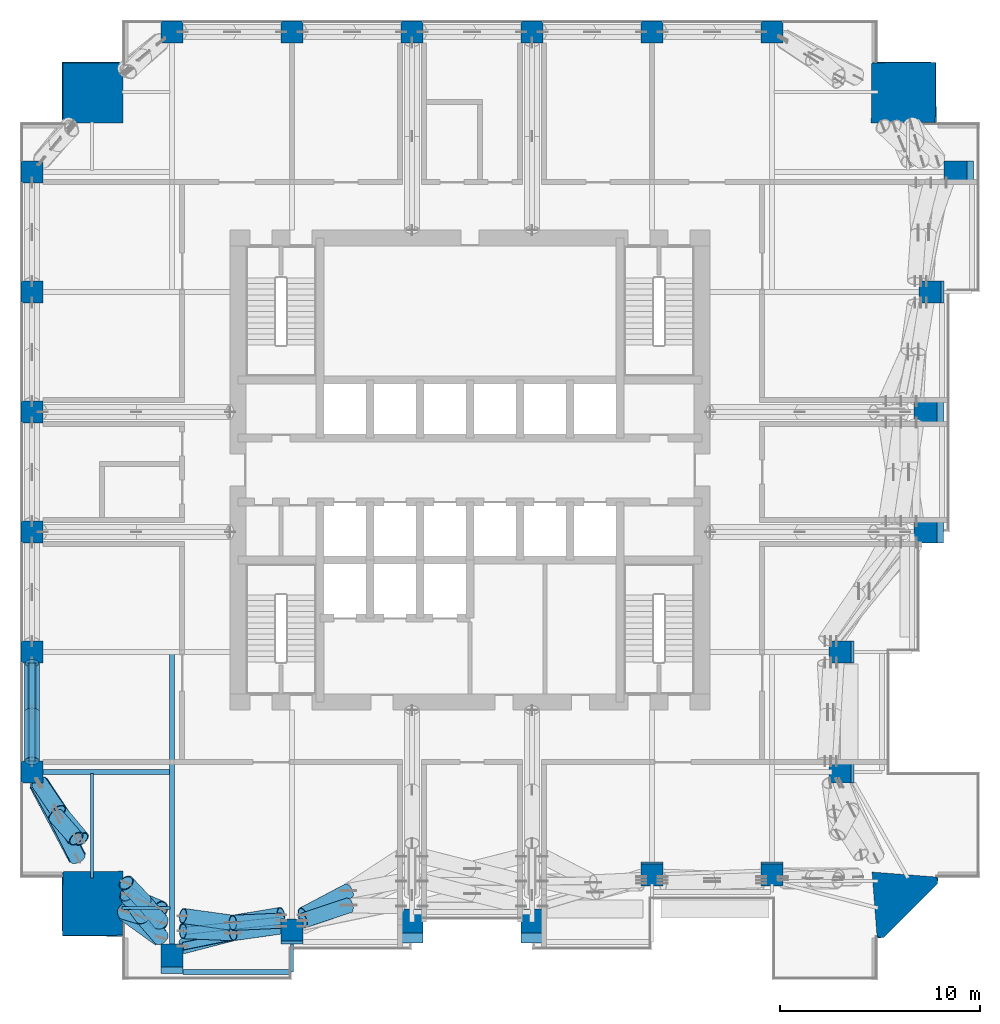
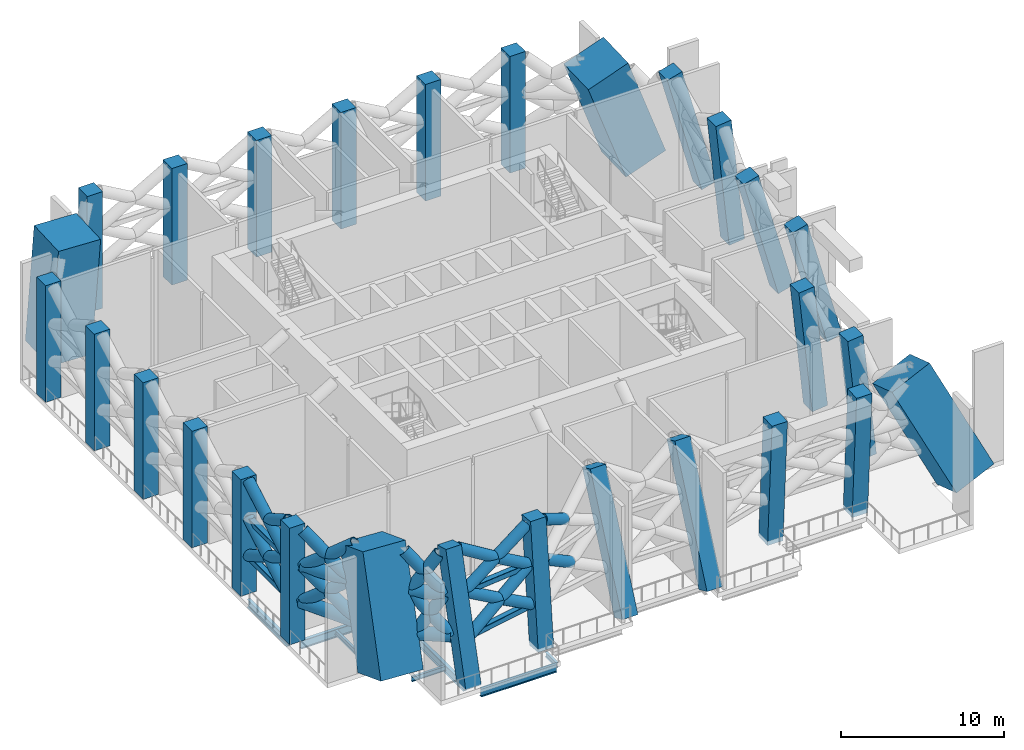
# One storey, part 1 of 19: 28 columns, 25 members, 15 beams.
"""IFC4 building model written with IfcOpenShell, lengths in metres."""

from ifc_helpers import new_model, si_unit, direction, frame, origin, origin_2d, place, context, subcontext, project, spatial, rectangle, hollow_rectangle, hollow_circle, i_section, extrude, material, material_profile, profile_set, type_object, element, save


model = new_model("IFC4")

# Units and contexts
model_context = context("Model", 3, precision=1e-05, world=origin(), true_north=direction((0.0, 1.0)))
body_context = subcontext(model_context, "Body", "Model", "MODEL_VIEW")
ifc_project = project(units=[si_unit("LENGTHUNIT", "METRE"), si_unit("AREAUNIT", "SQUARE_METRE"), si_unit("VOLUMEUNIT", "CUBIC_METRE"), si_unit("PLANEANGLEUNIT", "RADIAN"), si_unit("MASSUNIT", "GRAM", prefix="KILO")], contexts=[model_context])

# Site, building, storey
site_placement = place(None, origin())
site = spatial("IfcSite", under=ifc_project, at=site_placement, CompositionType="ELEMENT")
building_placement = place(site_placement, origin())
building = spatial("IfcBuilding", under=site, at=building_placement, Name="Amberfall Residences", CompositionType="ELEMENT")
storey_placement = place(building_placement, frame((0.0, 0.0, 124.89990234375)))
storey = spatial("IfcBuildingStorey", under=building, at=storey_placement, Name="L34", CompositionType="ELEMENT", Elevation=124.89990234375)

# Columns
ifc_material_1 = material(Name="Concrete C70", Category="concrete")
ifc_material_profile_1 = material_profile(ifc_material_1, rectangle(XDim=1.10009765625, YDim=1.10009765625, at=origin_2d()), Name="Column 1100 x 1100 C70")
ifc_profile_set_1 = profile_set([ifc_material_profile_1], Name="Concrete C70")
column_type_1 = type_object("IfcColumnType", Name="Column 1100 x 1100 C70", PredefinedType="COLUMN", material=ifc_profile_set_1)
column_1_placement = place(storey_placement, frame((59.60009765625, 20.85009765625, -0.206298828125), z_axis=(0.0, 0.260958148913, 0.965350114992), x_axis=(-1.0, 0.0, 0.0)))
element("IfcColumn", 1, at=column_1_placement, inside=storey, type_object=column_type_1, Name="Column C2 L34 S1", PredefinedType="COLUMN", context=body_context, shape_type="SweptSolid", body=[
    extrude(rectangle(XDim=1.10009765625, YDim=1.10009765625, at=origin_2d()), origin(), (0.0, 0.0, 1.0), 9.38818359375),
])
column_2_placement = place(storey_placement, frame((65.60009765625, 22.35009765625, -0.293701171875), z_axis=(0.0, 0.10229636816, 0.994753966095), x_axis=(-1.0, 0.0, 0.0)))
element("IfcColumn", 2, at=column_2_placement, inside=storey, type_object=column_type_1, Name="Column C2 L34 S2", PredefinedType="COLUMN", context=body_context, shape_type="SweptSolid", body=[
    extrude(rectangle(XDim=1.10009765625, YDim=1.10009765625, at=origin_2d()), origin(), (0.0, 0.0, 1.0), 9.286376953125),
])
for number, where, z_axis, x_axis, name in (
    (3, (71.60009765625, 22.35009765625, -0.126953125), (0.0, 0.405503510378, 0.914093487052), (-1.0, 0.0, 0.0), "Column C2 L34 S3"),
    (4, (77.60009765625, 22.35009765625, -0.126953125), (0.0, 0.405503510378, 0.914093487052), (-1.0, 0.0, 0.0), "Column C2 L34 S4"),
):
    element("IfcColumn", number, at=place(storey_placement, frame(where, z_axis=z_axis, x_axis=x_axis)), inside=storey, type_object=column_type_1, Name=name, PredefinedType="COLUMN", context=body_context, shape_type="SweptSolid", body=[
        extrude(rectangle(XDim=1.10009765625, YDim=1.10009765625, at=origin_2d()), origin(), (0.0, 0.0, 1.0), 9.740966796875),
    ])
for number, where, z_axis, x_axis, name in (
    (5, (83.60009765625, 25.35009765625, -0.3173828125), (0.0, -0.05913746441, 0.998249848637), (1.0, 0.0, 0.0), "Column C2 L34 S5"),
    (6, (89.60009765625, 25.35009765625, -0.3173828125), (0.0, -0.05913746441, 0.998249848637), (1.0, 0.0, 0.0), "Column C2 L34 S6"),
):
    element("IfcColumn", number, at=place(storey_placement, frame(where, z_axis=z_axis, x_axis=x_axis)), inside=storey, type_object=column_type_1, Name=name, PredefinedType="COLUMN", context=body_context, shape_type="SweptSolid", body=[
        extrude(rectangle(XDim=1.10009765625, YDim=1.10009765625, at=origin_2d()), origin(), (0.0, 0.0, 1.0), 9.30126953125),
    ])
for number, where, z_axis, x_axis, name in (
    (7, (93.14990234375, 30.39990234375, -0.293701171875), (-0.10229636816, 0.0, 0.994753966095), (0.0, -1.0, 0.0), "Column C2 L34 E1"),
    (8, (93.14990234375, 36.39990234375, -0.293701171875), (-0.10229636816, 0.0, 0.994753966095), (0.0, -1.0, 0.0), "Column C2 L34 E2"),
):
    element("IfcColumn", number, at=place(storey_placement, frame(where, z_axis=z_axis, x_axis=x_axis)), inside=storey, type_object=column_type_1, Name=name, PredefinedType="COLUMN", context=body_context, shape_type="SweptSolid", body=[
        extrude(rectangle(XDim=1.10009765625, YDim=1.10009765625, at=origin_2d()), origin(), (0.0, 0.0, 1.0), 9.286376953125),
    ])
for number, where, z_axis, x_axis, name in (
    (9, (97.64990234375, 42.39990234375, -0.206298828125), (-0.260958148913, 0.0, 0.965350114992), (0.0, -1.0, 0.0), "Column C2 L34 E3"),
    (10, (97.64990234375, 48.39990234375, -0.206298828125), (-0.260958148913, 0.0, 0.965350114992), (0.0, -1.0, 0.0), "Column C2 L34 E4"),
):
    element("IfcColumn", number, at=place(storey_placement, frame(where, z_axis=z_axis, x_axis=x_axis)), inside=storey, type_object=column_type_1, Name=name, PredefinedType="COLUMN", context=body_context, shape_type="SweptSolid", body=[
        extrude(rectangle(XDim=1.10009765625, YDim=1.10009765625, at=origin_2d()), origin(), (0.0, 0.0, 1.0), 9.38818359375),
    ])
column_3_placement = place(storey_placement, frame((97.64990234375, 54.39990234375, -0.293701171875), z_axis=(-0.10229636816, 0.0, 0.994753966095), x_axis=(0.0, -1.0, 0.0)))
element("IfcColumn", 11, at=column_3_placement, inside=storey, type_object=column_type_1, Name="Column C2 L34 E5", PredefinedType="COLUMN", context=body_context, shape_type="SweptSolid", body=[
    extrude(rectangle(XDim=1.10009765625, YDim=1.10009765625, at=origin_2d()), origin(), (0.0, 0.0, 1.0), 9.286376953125),
])
column_4_placement = place(storey_placement, frame((99.14990234375, 60.39990234375, -0.206298828125), z_axis=(-0.260958148913, 0.0, 0.965350114992), x_axis=(0.0, -1.0, 0.0)))
element("IfcColumn", 12, at=column_4_placement, inside=storey, type_object=column_type_1, Name="Column C2 L34 E6", PredefinedType="COLUMN", context=body_context, shape_type="SweptSolid", body=[
    extrude(rectangle(XDim=1.10009765625, YDim=1.10009765625, at=origin_2d()), origin(), (0.0, 0.0, 1.0), 9.38818359375),
])
for number, where, z_axis, x_axis, name in (
    (13, (59.60009765625, 67.39990234375, 0.0), (0.0, 0.0, 1.0), (1.0, 0.0, 0.0), "Column C2 L34 N1"),
    (14, (65.60009765625, 67.39990234375, 0.0), (0.0, 0.0, 1.0), (1.0, 0.0, 0.0), "Column C2 L34 N2"),
    (15, (71.60009765625, 67.39990234375, 0.0), (0.0, 0.0, 1.0), (1.0, 0.0, 0.0), "Column C2 L34 N3"),
    (16, (77.60009765625, 67.39990234375, 0.0), (0.0, 0.0, 1.0), (1.0, 0.0, 0.0), "Column C2 L34 N4"),
    (17, (83.60009765625, 67.39990234375, 0.0), (0.0, 0.0, 1.0), (1.0, 0.0, 0.0), "Column C2 L34 N5"),
    (18, (89.60009765625, 67.39990234375, 0.0), (0.0, 0.0, 1.0), (1.0, 0.0, 0.0), "Column C2 L34 N6"),
    (19, (52.60009765625, 30.39990234375, 0.0), (0.0, 0.0, 1.0), (1.0, 0.0, 0.0), "Column C2 L34 W1"),
    (20, (52.60009765625, 36.39990234375, 0.0), (0.0, 0.0, 1.0), (1.0, 0.0, 0.0), "Column C2 L34 W2"),
    (21, (52.60009765625, 42.39990234375, 0.0), (0.0, 0.0, 1.0), (1.0, 0.0, 0.0), "Column C2 L34 W3"),
    (22, (52.60009765625, 48.39990234375, 0.0), (0.0, 0.0, 1.0), (1.0, 0.0, 0.0), "Column C2 L34 W4"),
    (23, (52.60009765625, 54.39990234375, 0.0), (0.0, 0.0, 1.0), (1.0, 0.0, 0.0), "Column C2 L34 W5"),
    (24, (52.60009765625, 60.39990234375, 0.0), (0.0, 0.0, 1.0), (1.0, 0.0, 0.0), "Column C2 L34 W6"),
):
    element("IfcColumn", number, at=place(storey_placement, frame(where, z_axis=z_axis, x_axis=x_axis)), inside=storey, type_object=column_type_1, Name=name, PredefinedType="COLUMN", context=body_context, shape_type="SweptSolid", body=[
        extrude(rectangle(XDim=1.10009765625, YDim=1.10009765625, at=origin_2d()), origin(), (0.0, 0.0, 1.0), 8.75),
    ])
ifc_material_profile_2 = material_profile(ifc_material_1, rectangle(XDim=3.0, YDim=3.0, at=origin_2d()), Name="Mega column 3000 x 3000 C70")
ifc_profile_set_2 = profile_set([ifc_material_profile_2], Name="Concrete C70")
column_type_2 = type_object("IfcColumnType", Name="Mega column 3000 x 3000 C70", PredefinedType="COLUMN", material=ifc_profile_set_2)
column_5_placement = place(storey_placement, frame((55.60009765625, 23.60009765625, 0.59326171875), z_axis=(0.047926504293, 0.347540304026, 0.936439419965), x_axis=(-0.998813582755, 0.008574843959, 0.047936405312)))
element("IfcColumn", 25, at=column_5_placement, inside=storey, type_object=column_type_2, Name="Mega column MC2 L34 SW", PredefinedType="COLUMN", context=body_context, shape_type="SweptSolid", body=[
    extrude(rectangle(XDim=3.0, YDim=3.0, at=origin_2d()), origin(), (0.0, 0.0, 1.0), 8.343994140625),
])
column_6_placement = place(storey_placement, frame((96.39990234375, 23.60009765625, 1.09423828125), z_axis=(-0.36471985652, 0.36471985652, 0.856713985248), x_axis=(-0.071643007376, -0.928356992624, 0.36471985652)))
element("IfcColumn", 26, at=column_6_placement, inside=storey, type_object=column_type_2, Name="Mega column MC2 L34 SE", PredefinedType="COLUMN", context=body_context, shape_type="SweptSolid", body=[
    extrude(rectangle(XDim=3.0, YDim=3.0, at=origin_2d()), origin(), (0.0, 0.0, 1.0), 7.950927734375),
])
column_7_placement = place(storey_placement, frame((96.39990234375, 64.39990234375, 0.59326171875), z_axis=(-0.347540304026, -0.047926504293, 0.936439419965), x_axis=(0.937625836423, -0.008630010973, 0.347538938512)))
element("IfcColumn", 27, at=column_7_placement, inside=storey, type_object=column_type_2, Name="Mega column MC2 L34 NE", PredefinedType="COLUMN", context=body_context, shape_type="SweptSolid", body=[
    extrude(rectangle(XDim=3.0, YDim=3.0, at=origin_2d()), origin(), (0.0, 0.0, 1.0), 8.343994140625),
])
column_8_placement = place(storey_placement, frame((55.60009765625, 64.39990234375, 0.13720703125), z_axis=(0.045735036797, -0.045735036797, 0.99790611423), x_axis=(0.001046942885, 0.998953057115, 0.045735036797)))
element("IfcColumn", 28, at=column_8_placement, inside=storey, type_object=column_type_2, Name="Mega column MC2 L34 NW", PredefinedType="COLUMN", context=body_context, shape_type="SweptSolid", body=[
    extrude(rectangle(XDim=3.0, YDim=3.0, at=origin_2d()), origin(), (0.0, 0.0, 1.0), 8.743896484375),
])

# Beams
ifc_material_2 = material(Name="Steel S355", Category="steel")
ifc_material_profile_3 = material_profile(ifc_material_2, hollow_circle(Radius=0.457275390625, WallThickness=0.06005859375, at=origin_2d()), Name="CHS 914.4x60")
ifc_profile_set_3 = profile_set([ifc_material_profile_3], Name="Steel S355")
beam_type_1 = type_object("IfcBeamType", Name="Belt truss chord BT CHS 914.4x60", PredefinedType="BEAM", material=ifc_profile_set_3)
beam_1_placement = place(storey_placement, frame((57.2158203125, 23.42431640625, 3.0), z_axis=(0.812987024903, -0.582281802343, 0.0), x_axis=(0.582281802343, 0.812987024903, 0.0)))
element("IfcBeam", 29, at=beam_1_placement, inside=storey, type_object=beam_type_1, Name="Belt truss chord BT2 L34 SWS", PredefinedType="BEAM", context=body_context, shape_type="SweptSolid", body=[
    extrude(hollow_circle(Radius=0.457275390625, WallThickness=0.06005859375, at=origin_2d()), origin(), (0.0, 0.0, 1.0), 2.256103515625),
])
beam_2_placement = place(storey_placement, frame((57.35009765625, 24.262451171875, 5.646484375), z_axis=(0.775756048668, -0.631032925413, 0.0), x_axis=(0.631032925413, 0.775756048668, 0.0)))
element("IfcBeam", 30, at=beam_2_placement, inside=storey, type_object=beam_type_1, Name="Belt truss chord BT2 L34 SWSm", PredefinedType="BEAM", context=body_context, shape_type="SweptSolid", body=[
    extrude(hollow_circle(Radius=0.457275390625, WallThickness=0.06005859375, at=origin_2d()), origin(), (0.0, 0.0, 1.0), 2.19140625),
])
beam_3_placement = place(storey_placement, frame((54.88134765625, 26.085205078125, 3.0), z_axis=(-0.467392459894, 0.884049935487, 0.0), x_axis=(-0.884049935487, -0.467392459894, 0.0)))
element("IfcBeam", 31, at=beam_3_placement, inside=storey, type_object=beam_type_1, Name="Belt truss chord BT2 L34 SWW", PredefinedType="BEAM", context=body_context, shape_type="SweptSolid", body=[
    extrude(hollow_circle(Radius=0.457275390625, WallThickness=0.06005859375, at=origin_2d()), origin(), (0.0, 0.0, 1.0), 4.2587890625),
])
beam_4_placement = place(storey_placement, frame((54.806396484375, 27.065673828125, 5.646484375), z_axis=(-0.551794357555, 0.833980207781, 0.0), x_axis=(-0.833980207781, -0.551794357555, 0.0)))
element("IfcBeam", 32, at=beam_4_placement, inside=storey, type_object=beam_type_1, Name="Belt truss chord BT2 L34 SWWm", PredefinedType="BEAM", context=body_context, shape_type="SweptSolid", body=[
    extrude(hollow_circle(Radius=0.457275390625, WallThickness=0.06005859375, at=origin_2d()), origin(), (0.0, 0.0, 1.0), 3.338623046875),
])
ifc_material_profile_4 = material_profile(ifc_material_2, hollow_rectangle(XDim=0.39990234375, YDim=0.39990234375, WallThickness=0.02001953125, InnerFilletRadius=0.02001953125, OuterFilletRadius=0.030029296875, at=origin_2d()), Name="RHS 400x400x20")
ifc_profile_set_4 = profile_set([ifc_material_profile_4], Name="Steel S355")
beam_type_2 = type_object("IfcBeamType", Name="Belt truss chord BT RHS 400x400x20", PredefinedType="BEAM", material=ifc_profile_set_4)
beam_5_placement = place(storey_placement, frame((60.14990234375, 21.689697265625, 2.900146484375), z_axis=(0.980242998356, 0.197797027719, 0.0), x_axis=(-0.197797027719, 0.980242998356, 0.0)))
element("IfcBeam", 33, at=beam_5_placement, inside=storey, type_object=beam_type_2, Name="Belt truss chord BT3 L34 S1", PredefinedType="BEAM", context=body_context, shape_type="SweptSolid", body=[
    extrude(hollow_rectangle(XDim=0.39990234375, YDim=0.39990234375, WallThickness=0.02001953125, InnerFilletRadius=0.02001953125, OuterFilletRadius=0.030029296875, at=origin_2d()), origin(), (0.0, 0.0, 1.0), 4.9990234375),
])
beam_6_placement = place(storey_placement, frame((60.14990234375, 22.44677734375, 5.7001953125), z_axis=(0.994426441941, 0.105432687382, 0.0), x_axis=(-0.105432687382, 0.994426441941, 0.0)))
element("IfcBeam", 34, at=beam_6_placement, inside=storey, type_object=beam_type_2, Name="Belt truss chord BT3 L34 S1m", PredefinedType="BEAM", context=body_context, shape_type="SweptSolid", body=[
    extrude(hollow_rectangle(XDim=0.39990234375, YDim=0.39990234375, WallThickness=0.02001953125, InnerFilletRadius=0.02001953125, OuterFilletRadius=0.030029296875, at=origin_2d()), origin(), (0.0, 0.0, 1.0), 4.927490234375),
])
for number, where, z_axis, x_axis, name in (
    (35, (52.60009765625, 30.949951171875, 2.900146484375), (0.0, 1.0, 0.0), (-1.0, 0.0, 0.0), "Belt truss chord BT3 L34 W1"),
    (36, (52.60009765625, 30.949951171875, 5.7001953125), (0.0, 1.0, 0.0), (-1.0, 0.0, 0.0), "Belt truss chord BT3 L34 W1m"),
):
    element("IfcBeam", number, at=place(storey_placement, frame(where, z_axis=z_axis, x_axis=x_axis)), inside=storey, type_object=beam_type_2, Name=name, PredefinedType="BEAM", context=body_context, shape_type="SweptSolid", body=[
        extrude(hollow_rectangle(XDim=0.39990234375, YDim=0.39990234375, WallThickness=0.02001953125, InnerFilletRadius=0.02001953125, OuterFilletRadius=0.030029296875, at=origin_2d()), origin(), (0.0, 0.0, 1.0), 4.900146484375),
    ])

# Members
ifc_material_profile_5 = material_profile(ifc_material_2, hollow_circle(Radius=0.381103515625, WallThickness=0.0400390625, at=origin_2d()), Name="CHS 762x40")
ifc_profile_set_5 = profile_set([ifc_material_profile_5], Name="Steel S355")
member_type_1 = type_object("IfcMemberType", Name="Belt truss diagonal BT CHS 762x40", PredefinedType="BRACE", material=ifc_profile_set_5)
member_1_placement = place(storey_placement, frame((60.14990234375, 21.689697265625, 2.900146484375), z_axis=(0.846850919134, 0.220625950683, 0.483908783396), x_axis=(-0.252109817176, 0.967698630816, 0.0)))
element("IfcMember", 37, at=member_1_placement, inside=storey, type_object=member_type_1, Name="Belt truss diagonal BT4 L34 S1d", PredefinedType="BRACE", context=body_context, shape_type="SweptSolid", body=[
    extrude(hollow_circle(Radius=0.381103515625, WallThickness=0.0400390625, at=origin_2d()), origin(), (0.0, 0.0, 1.0), 5.786376953125),
])
member_2_placement = place(storey_placement, frame((60.14990234375, 22.44677734375, 5.7001953125), z_axis=(0.876696396634, -0.03667863801, -0.479643727825), x_axis=(0.041800764526, 0.999125966075, 0.0)))
element("IfcMember", 38, at=member_2_placement, inside=storey, type_object=member_type_1, Name="Belt truss diagonal BT4 L34 S1e", PredefinedType="BRACE", context=body_context, shape_type="SweptSolid", body=[
    extrude(hollow_circle(Radius=0.381103515625, WallThickness=0.0400390625, at=origin_2d()), origin(), (0.0, 0.0, 1.0), 2.85546875),
])
member_3_placement = place(storey_placement, frame((62.6533203125, 22.342041015625, 4.33056640625), z_axis=(0.852523998121, 0.119667726333, -0.508804940918), x_axis=(-0.139005983874, 0.990291541137, 0.0)))
element("IfcMember", 39, at=member_3_placement, inside=storey, type_object=member_type_1, Name="Belt truss diagonal BT4 L34 S1e2", PredefinedType="BRACE", context=body_context, shape_type="SweptSolid", body=[
    extrude(hollow_circle(Radius=0.381103515625, WallThickness=0.0400390625, at=origin_2d()), origin(), (0.0, 0.0, 1.0), 2.811279296875),
])
member_4_placement = place(storey_placement, frame((60.14990234375, 22.44677734375, 5.7001953125), z_axis=(0.85950834123, 0.141659787394, 0.491098682538), x_axis=(-0.162620991574, 0.986688609998, 0.0)))
element("IfcMember", 40, at=member_4_placement, inside=storey, type_object=member_type_1, Name="Belt truss diagonal BT4 L34 S1du", PredefinedType="BRACE", context=body_context, shape_type="SweptSolid", body=[
    extrude(hollow_circle(Radius=0.381103515625, WallThickness=0.0400390625, at=origin_2d()), origin(), (0.0, 0.0, 1.0), 5.701171875),
])
member_5_placement = place(storey_placement, frame((60.14990234375, 23.20361328125, 8.5), z_axis=(0.869306161315, -0.120599846346, -0.479335451393), x_axis=(0.137415087244, 0.990513550537, 0.0)))
element("IfcMember", 41, at=member_5_placement, inside=storey, type_object=member_type_1, Name="Belt truss diagonal BT4 L34 S1eu", PredefinedType="BRACE", context=body_context, shape_type="SweptSolid", body=[
    extrude(hollow_circle(Radius=0.381103515625, WallThickness=0.0400390625, at=origin_2d()), origin(), (0.0, 0.0, 1.0), 2.86865234375),
])
member_6_placement = place(storey_placement, frame((62.6435546875, 22.857666015625, 7.125), z_axis=(0.859841437388, 0.038818041964, -0.509083354834), x_axis=(-0.045099645889, 0.99898249331, 0.0)))
element("IfcMember", 42, at=member_6_placement, inside=storey, type_object=member_type_1, Name="Belt truss diagonal BT4 L34 S1e2u", PredefinedType="BRACE", context=body_context, shape_type="SweptSolid", body=[
    extrude(hollow_circle(Radius=0.381103515625, WallThickness=0.0400390625, at=origin_2d()), origin(), (0.0, 0.0, 1.0), 2.798828125),
])
member_7_placement = place(storey_placement, frame((66.14990234375, 22.96630859375, 5.7001953125), z_axis=(0.806823579201, 0.270145278997, -0.525411496145), x_axis=(-0.31750112451, 0.948257895266, 0.0)))
element("IfcMember", 43, at=member_7_placement, inside=storey, type_object=member_type_1, Name="Belt truss diagonal BT4 L34 S2e", PredefinedType="BRACE", context=body_context, shape_type="SweptSolid", body=[
    extrude(hollow_circle(Radius=0.381103515625, WallThickness=0.0400390625, at=origin_2d()), origin(), (0.0, 0.0, 1.0), 2.838623046875),
])
member_8_placement = place(storey_placement, frame((66.14990234375, 23.25439453125, 8.5), z_axis=(0.763648285161, 0.403633294809, -0.503906201482), x_axis=(-0.467298846368, 0.884099422115, 0.0)))
element("IfcMember", 44, at=member_8_placement, inside=storey, type_object=member_type_1, Name="Belt truss diagonal BT4 L34 S2eu", PredefinedType="BRACE", context=body_context, shape_type="SweptSolid", body=[
    extrude(hollow_circle(Radius=0.381103515625, WallThickness=0.0400390625, at=origin_2d()), origin(), (0.0, 0.0, 1.0), 2.977783203125),
])
member_9_placement = place(storey_placement, frame((52.60009765625, 30.949951171875, 2.900146484375), z_axis=(0.0, 0.868245804187, 0.496134279718), x_axis=(-1.0, 0.0, 0.0)))
element("IfcMember", 45, at=member_9_placement, inside=storey, type_object=member_type_1, Name="Belt truss diagonal BT4 L34 W1d", PredefinedType="BRACE", context=body_context, shape_type="SweptSolid", body=[
    extrude(hollow_circle(Radius=0.381103515625, WallThickness=0.0400390625, at=origin_2d()), origin(), (0.0, 0.0, 1.0), 5.643798828125),
])
member_10_placement = place(storey_placement, frame((52.60009765625, 30.949951171875, 5.7001953125), z_axis=(0.0, 0.868216519694, -0.496185524708), x_axis=(-1.0, 0.0, 0.0)))
element("IfcMember", 46, at=member_10_placement, inside=storey, type_object=member_type_1, Name="Belt truss diagonal BT4 L34 W1e", PredefinedType="BRACE", context=body_context, shape_type="SweptSolid", body=[
    extrude(hollow_circle(Radius=0.381103515625, WallThickness=0.0400390625, at=origin_2d()), origin(), (0.0, 0.0, 1.0), 2.82177734375),
])
member_11_placement = place(storey_placement, frame((52.60009765625, 33.39990234375, 4.300048828125), z_axis=(0.0, 0.868275084713, -0.49608303465), x_axis=(-1.0, 0.0, 0.0)))
element("IfcMember", 47, at=member_11_placement, inside=storey, type_object=member_type_1, Name="Belt truss diagonal BT4 L34 W1e2", PredefinedType="BRACE", context=body_context, shape_type="SweptSolid", body=[
    extrude(hollow_circle(Radius=0.381103515625, WallThickness=0.0400390625, at=origin_2d()), origin(), (0.0, 0.0, 1.0), 2.822021484375),
])
member_12_placement = place(storey_placement, frame((52.60009765625, 30.949951171875, 5.7001953125), z_axis=(0.0, 0.868264438383, 0.496101668047), x_axis=(-1.0, 0.0, 0.0)))
element("IfcMember", 48, at=member_12_placement, inside=storey, type_object=member_type_1, Name="Belt truss diagonal BT4 L34 W1du", PredefinedType="BRACE", context=body_context, shape_type="SweptSolid", body=[
    extrude(hollow_circle(Radius=0.381103515625, WallThickness=0.0400390625, at=origin_2d()), origin(), (0.0, 0.0, 1.0), 5.6435546875),
])
member_13_placement = place(storey_placement, frame((52.60009765625, 30.949951171875, 8.5), z_axis=(0.0, 0.868253790854, -0.496120302616), x_axis=(-1.0, 0.0, 0.0)))
element("IfcMember", 49, at=member_13_placement, inside=storey, type_object=member_type_1, Name="Belt truss diagonal BT4 L34 W1eu", PredefinedType="BRACE", context=body_context, shape_type="SweptSolid", body=[
    extrude(hollow_circle(Radius=0.381103515625, WallThickness=0.0400390625, at=origin_2d()), origin(), (0.0, 0.0, 1.0), 2.82177734375),
])
ifc_material_profile_6 = material_profile(ifc_material_2, hollow_circle(Radius=0.406494140625, WallThickness=0.050048828125, at=origin_2d()), Name="CHS 813x50")
ifc_profile_set_6 = profile_set([ifc_material_profile_6], Name="Steel S355")
member_type_2 = type_object("IfcMemberType", Name="Belt truss diagonal BT CHS 813x50", PredefinedType="BRACE", material=ifc_profile_set_6)
member_14_placement = place(storey_placement, frame((57.2158203125, 23.42431640625, 3.0), z_axis=(0.561660752254, -0.166786255594, 0.810382344528), x_axis=(0.28466607921, 0.958626738281, 0.0)))
element("IfcMember", 50, at=member_14_placement, inside=storey, type_object=member_type_2, Name="Belt truss diagonal BT5 L34 SWSd", PredefinedType="BRACE", context=body_context, shape_type="SweptSolid", body=[
    extrude(hollow_circle(Radius=0.406494140625, WallThickness=0.050048828125, at=origin_2d()), origin(), (0.0, 0.0, 1.0), 3.265625),
])
member_15_placement = place(storey_placement, frame((57.35009765625, 24.262451171875, 5.646484375), z_axis=(0.425209280951, -0.591207674609, -0.685325143911), x_axis=(0.811833917838, 0.58388842243, 0.0)))
element("IfcMember", 51, at=member_15_placement, inside=storey, type_object=member_type_2, Name="Belt truss diagonal BT5 L34 SWSe", PredefinedType="BRACE", context=body_context, shape_type="SweptSolid", body=[
    extrude(hollow_circle(Radius=0.406494140625, WallThickness=0.050048828125, at=origin_2d()), origin(), (0.0, 0.0, 1.0), 1.888427734375),
])
member_16_placement = place(storey_placement, frame((58.153076171875, 23.14599609375, 4.352294921875), z_axis=(0.465979283362, -0.537892798241, -0.702520209729), x_axis=(0.755824313649, 0.654774470254, 0.0)))
element("IfcMember", 52, at=member_16_placement, inside=storey, type_object=member_type_2, Name="Belt truss diagonal BT5 L34 SWSe2", PredefinedType="BRACE", context=body_context, shape_type="SweptSolid", body=[
    extrude(hollow_circle(Radius=0.406494140625, WallThickness=0.050048828125, at=origin_2d()), origin(), (0.0, 0.0, 1.0), 1.9248046875),
])
member_17_placement = place(storey_placement, frame((57.35009765625, 24.262451171875, 5.646484375), z_axis=(0.527048365384, -0.221325494813, 0.820509016338), x_axis=(0.387180706474, 0.922003850607, 0.0)))
element("IfcMember", 53, at=member_17_placement, inside=storey, type_object=member_type_2, Name="Belt truss diagonal BT5 L34 SWSdu", PredefinedType="BRACE", context=body_context, shape_type="SweptSolid", body=[
    extrude(hollow_circle(Radius=0.406494140625, WallThickness=0.050048828125, at=origin_2d()), origin(), (0.0, 0.0, 1.0), 3.225341796875),
])
member_18_placement = place(storey_placement, frame((57.3095703125, 24.85400390625, 8.29296875), z_axis=(0.479972204631, -0.511154609372, -0.712985026561), x_axis=(0.7289927697, 0.684521396105, 0.0)))
element("IfcMember", 54, at=member_18_placement, inside=storey, type_object=member_type_2, Name="Belt truss diagonal BT5 L34 SWSeu", PredefinedType="BRACE", context=body_context, shape_type="SweptSolid", body=[
    extrude(hollow_circle(Radius=0.406494140625, WallThickness=0.050048828125, at=origin_2d()), origin(), (0.0, 0.0, 1.0), 1.85546875),
])
member_19_placement = place(storey_placement, frame((58.2001953125, 23.905517578125, 6.969970703125), z_axis=(0.452568976602, -0.546307049607, -0.704790698695), x_axis=(0.770080724073, 0.637946454188, 0.0)))
element("IfcMember", 55, at=member_19_placement, inside=storey, type_object=member_type_2, Name="Belt truss diagonal BT5 L34 SWSe2u", PredefinedType="BRACE", context=body_context, shape_type="SweptSolid", body=[
    extrude(hollow_circle(Radius=0.406494140625, WallThickness=0.050048828125, at=origin_2d()), origin(), (0.0, 0.0, 1.0), 1.8779296875),
])
member_20_placement = place(storey_placement, frame((54.88134765625, 26.085205078125, 3.0), z_axis=(-0.384571157208, 0.755185510672, 0.530848254697), x_axis=(-0.891109162071, -0.453789005236, 0.0)))
element("IfcMember", 56, at=member_20_placement, inside=storey, type_object=member_type_2, Name="Belt truss diagonal BT5 L34 SWWd", PredefinedType="BRACE", context=body_context, shape_type="SweptSolid", body=[
    extrude(hollow_circle(Radius=0.406494140625, WallThickness=0.050048828125, at=origin_2d()), origin(), (0.0, 0.0, 1.0), 4.9853515625),
])
member_21_placement = place(storey_placement, frame((54.806396484375, 27.065673828125, 5.646484375), z_axis=(-0.526543843433, 0.597491120224, -0.6047775973), x_axis=(-0.750245245325, -0.661159641741, 0.0)))
element("IfcMember", 57, at=member_21_placement, inside=storey, type_object=member_type_2, Name="Belt truss diagonal BT5 L34 SWWe", PredefinedType="BRACE", context=body_context, shape_type="SweptSolid", body=[
    extrude(hollow_circle(Radius=0.406494140625, WallThickness=0.050048828125, at=origin_2d()), origin(), (0.0, 0.0, 1.0), 1.909912109375),
])
member_22_placement = place(storey_placement, frame((53.80078125, 28.206787109375, 4.491455078125), z_axis=(-0.3793656465, 0.68513822554, -0.621825794061), x_axis=(-0.874843048082, -0.484406483465, 0.0)))
element("IfcMember", 58, at=member_22_placement, inside=storey, type_object=member_type_2, Name="Belt truss diagonal BT5 L34 SWWe2", PredefinedType="BRACE", context=body_context, shape_type="SweptSolid", body=[
    extrude(hollow_circle(Radius=0.406494140625, WallThickness=0.050048828125, at=origin_2d()), origin(), (0.0, 0.0, 1.0), 2.3984375),
])
member_23_placement = place(storey_placement, frame((54.806396484375, 27.065673828125, 5.646484375), z_axis=(-0.424357283165, 0.656332358895, 0.623817866762), x_axis=(-0.83976172515, -0.542955104012, 0.0)))
element("IfcMember", 59, at=member_23_placement, inside=storey, type_object=member_type_2, Name="Belt truss diagonal BT5 L34 SWWdu", PredefinedType="BRACE", context=body_context, shape_type="SweptSolid", body=[
    extrude(hollow_circle(Radius=0.406494140625, WallThickness=0.050048828125, at=origin_2d()), origin(), (0.0, 0.0, 1.0), 4.242431640625),
])
member_24_placement = place(storey_placement, frame((55.07421875, 27.05029296875, 8.29296875), z_axis=(-0.512083083997, 0.614434508806, -0.600200924252), x_axis=(-0.768187874722, -0.640224483389, 0.0)))
element("IfcMember", 60, at=member_24_placement, inside=storey, type_object=member_type_2, Name="Belt truss diagonal BT5 L34 SWWeu", PredefinedType="BRACE", context=body_context, shape_type="SweptSolid", body=[
    extrude(hollow_circle(Radius=0.406494140625, WallThickness=0.050048828125, at=origin_2d()), origin(), (0.0, 0.0, 1.0), 2.2470703125),
])
member_25_placement = place(storey_placement, frame((53.923583984375, 28.430908203125, 6.9443359375), z_axis=(-0.446430314724, 0.660330641092, -0.603873677627), x_axis=(-0.828437060865, -0.560082169138, 0.0)))
element("IfcMember", 61, at=member_25_placement, inside=storey, type_object=member_type_2, Name="Belt truss diagonal BT5 L34 SWWe2u", PredefinedType="BRACE", context=body_context, shape_type="SweptSolid", body=[
    extrude(hollow_circle(Radius=0.406494140625, WallThickness=0.050048828125, at=origin_2d()), origin(), (0.0, 0.0, 1.0), 2.149169921875),
])

# Beams
ifc_material_profile_7 = material_profile(ifc_material_2, i_section(OverallWidth=0.171142578125, OverallDepth=0.351318359375, WebThickness=0.007080078125, FlangeThickness=0.009765625, FilletRadius=0.01025390625, at=origin_2d()), Name="UB 356x171x45")
ifc_profile_set_7 = profile_set([ifc_material_profile_7], Name="Steel S355")
beam_type_3 = type_object("IfcBeamType", Name="Cantilever girder UB 356x171x45", PredefinedType="BEAM", material=ifc_profile_set_7)
beam_7_placement = place(storey_placement, frame((65.60009765625, 21.800048828125, -0.525634765625), z_axis=(0.0, -1.0, 0.0), x_axis=(1.0, 0.0, 0.0)))
element("IfcBeam", 62, at=beam_7_placement, inside=storey, type_object=beam_type_3, Name="Cantilever girder B8 L34 06", PredefinedType="BEAM", context=body_context, shape_type="SweptSolid", body=[
    extrude(i_section(OverallWidth=0.171142578125, OverallDepth=0.351318359375, WebThickness=0.007080078125, FlangeThickness=0.009765625, FilletRadius=0.01025390625, at=origin_2d()), origin(), (0.0, 0.0, 1.0), 1.400146484375),
])
ifc_material_profile_8 = material_profile(ifc_material_2, i_section(OverallWidth=0.228271484375, OverallDepth=0.607666015625, WebThickness=0.010986328125, FlangeThickness=0.017333984375, FilletRadius=0.0126953125, at=origin_2d()), Name="UB 610x229x113")
ifc_profile_set_8 = profile_set([ifc_material_profile_8], Name="Steel S355")
beam_type_4 = type_object("IfcBeamType", Name="Edge beam UB 610x229x113", PredefinedType="SPANDREL", material=ifc_profile_set_8)
beam_8_placement = place(storey_placement, frame((60.14990234375, 20.39990234375, -0.65380859375), z_axis=(1.0, 0.0, 0.0), x_axis=(0.0, 1.0, 0.0)))
element("IfcBeam", 63, at=beam_8_placement, inside=storey, type_object=beam_type_4, Name="Edge beam B12 L34 01", PredefinedType="SPANDREL", context=body_context, shape_type="SweptSolid", body=[
    extrude(i_section(OverallWidth=0.228271484375, OverallDepth=0.607666015625, WebThickness=0.010986328125, FlangeThickness=0.017333984375, FilletRadius=0.0126953125, at=origin_2d()), origin(), (0.0, 0.0, 1.0), 5.3701171875),
])
beam_9_placement = place(storey_placement, frame((52.60009765625, 30.949951171875, -0.65380859375), z_axis=(0.0, 1.0, 0.0), x_axis=(-1.0, 0.0, 0.0)))
element("IfcBeam", 64, at=beam_9_placement, inside=storey, type_object=beam_type_4, Name="Edge beam B12 L34 40", PredefinedType="SPANDREL", context=body_context, shape_type="SweptSolid", body=[
    extrude(i_section(OverallWidth=0.228271484375, OverallDepth=0.607666015625, WebThickness=0.010986328125, FlangeThickness=0.017333984375, FilletRadius=0.0126953125, at=origin_2d()), origin(), (0.0, 0.0, 1.0), 4.900146484375),
])
ifc_material_profile_9 = material_profile(ifc_material_2, i_section(OverallWidth=0.230224609375, OverallDepth=0.6171875, WebThickness=0.01318359375, FlangeThickness=0.022216796875, FilletRadius=0.0126953125, at=origin_2d()), Name="UB 610x229x140")
ifc_profile_set_9 = profile_set([ifc_material_profile_9], Name="Steel S355")
beam_type_5 = type_object("IfcBeamType", Name="Floor girder UB 610x229x140", PredefinedType="BEAM", material=ifc_profile_set_9)
beam_10_placement = place(storey_placement, frame((59.60009765625, 21.39990234375, -0.658447265625), z_axis=(0.0, 1.0, 0.0), x_axis=(-1.0, 0.0, 0.0)))
element("IfcBeam", 65, at=beam_10_placement, inside=storey, type_object=beam_type_5, Name="Floor girder B13 L34 09", PredefinedType="BEAM", context=body_context, shape_type="SweptSolid", body=[
    extrude(i_section(OverallWidth=0.230224609375, OverallDepth=0.6171875, WebThickness=0.01318359375, FlangeThickness=0.022216796875, FilletRadius=0.0126953125, at=origin_2d()), origin(), (0.0, 0.0, 1.0), 14.889892578125),
])
beam_11_placement = place(storey_placement, frame((53.14990234375, 30.39990234375, -0.658447265625), z_axis=(1.0, 0.0, 0.0), x_axis=(0.0, 1.0, 0.0)))
element("IfcBeam", 66, at=beam_11_placement, inside=storey, type_object=beam_type_5, Name="Floor girder B13 L34 45", PredefinedType="BEAM", context=body_context, shape_type="SweptSolid", body=[
    extrude(i_section(OverallWidth=0.230224609375, OverallDepth=0.6171875, WebThickness=0.01318359375, FlangeThickness=0.022216796875, FilletRadius=0.0126953125, at=origin_2d()), origin(), (0.0, 0.0, 1.0), 6.330078125),
])
ifc_material_profile_10 = material_profile(ifc_material_2, i_section(OverallWidth=0.171142578125, OverallDepth=0.351318359375, WebThickness=0.007080078125, FlangeThickness=0.009765625, FilletRadius=0.01025390625, at=origin_2d()), Name="UB 356x171x45")
ifc_profile_set_10 = profile_set([ifc_material_profile_10], Name="Steel S355")
beam_type_6 = type_object("IfcBeamType", Name="Link beam UB 356x171x45", PredefinedType="BEAM", material=ifc_profile_set_10)
beam_12_placement = place(storey_placement, frame((57.10009765625, 23.60009765625, -0.525634765625), z_axis=(1.0, 0.0, 0.0), x_axis=(0.0, 1.0, 0.0)))
element("IfcBeam", 67, at=beam_12_placement, inside=storey, type_object=beam_type_6, Name="Link beam B7 L34 52", PredefinedType="BEAM", context=body_context, shape_type="SweptSolid", body=[
    extrude(i_section(OverallWidth=0.171142578125, OverallDepth=0.351318359375, WebThickness=0.007080078125, FlangeThickness=0.009765625, FilletRadius=0.01025390625, at=origin_2d()), origin(), (0.0, 0.0, 1.0), 2.404541015625),
])
beam_13_placement = place(storey_placement, frame((55.60009765625, 25.10009765625, -0.525634765625), z_axis=(0.0, 1.0, 0.0), x_axis=(-1.0, 0.0, 0.0)))
element("IfcBeam", 68, at=beam_13_placement, inside=storey, type_object=beam_type_6, Name="Link beam B7 L34 53", PredefinedType="BEAM", context=body_context, shape_type="SweptSolid", body=[
    extrude(i_section(OverallWidth=0.171142578125, OverallDepth=0.351318359375, WebThickness=0.007080078125, FlangeThickness=0.009765625, FilletRadius=0.01025390625, at=origin_2d()), origin(), (0.0, 0.0, 1.0), 5.22119140625),
])

save(model, "model.ifc")
